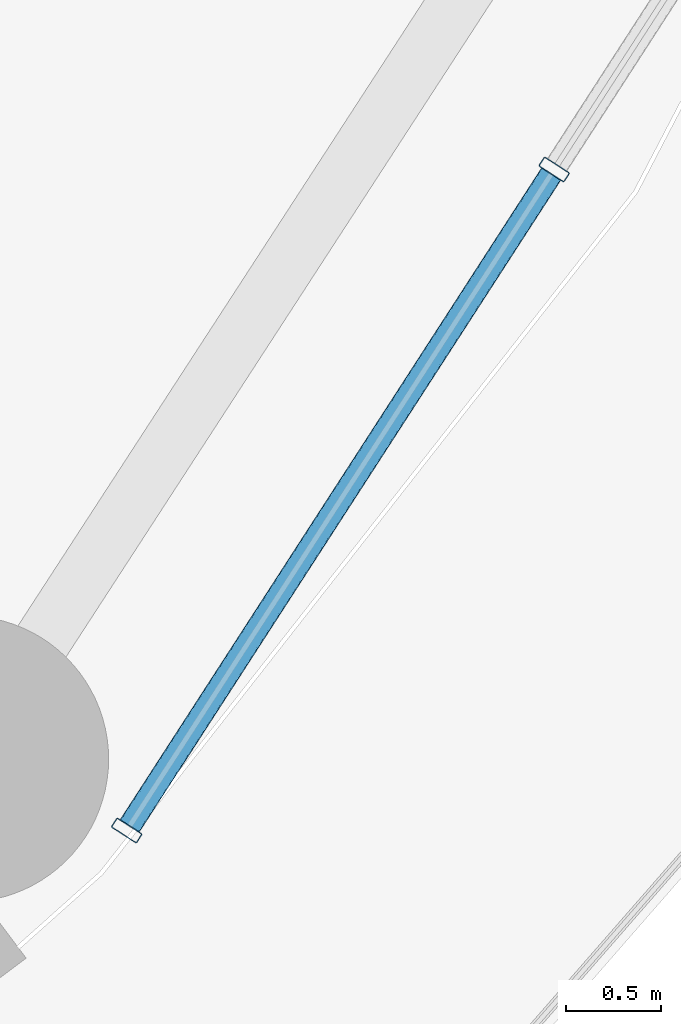
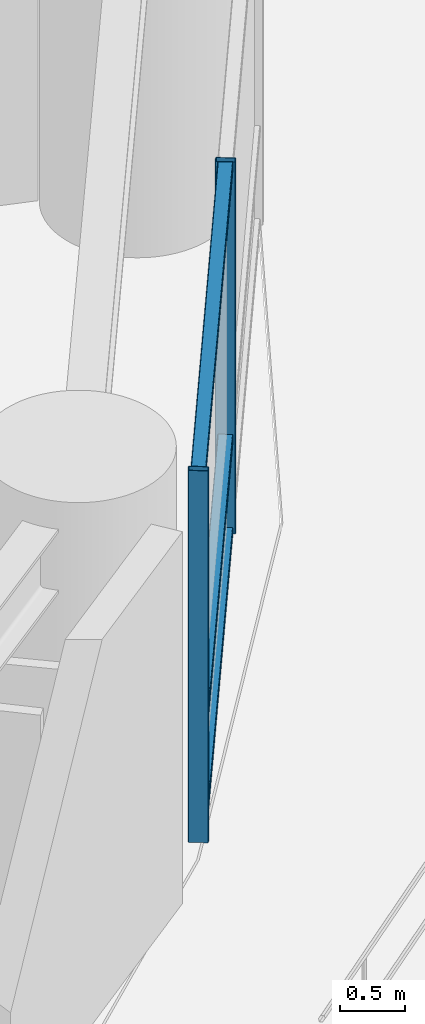
# One storey, part 10 of 32: 5 members, 1 element without a shape of its own.
"""IFC4 building model written with IfcOpenShell, lengths in metres."""

from ifc_helpers import new_model, si_unit, direction, frame, origin, origin_2d, place, context, subcontext, project, spatial, hollow_rectangle, extrude, material, layer, layer_set, material_profile, profile_set, type_object, element, aggregate, save


model = new_model("IFC4")

# Units and contexts
model_context = context("Model", 3, precision=1e-05, world=origin(), true_north=direction((0.0, 1.0)))
body_context = subcontext(model_context, "Body", "Model", "MODEL_VIEW")
ifc_project = project(units=[si_unit("LENGTHUNIT", "METRE"), si_unit("AREAUNIT", "SQUARE_METRE"), si_unit("VOLUMEUNIT", "CUBIC_METRE"), si_unit("PLANEANGLEUNIT", "RADIAN"), si_unit("MASSUNIT", "GRAM", prefix="KILO")], contexts=[model_context])

# Site, building, storey
site_placement = place(None, origin())
site = spatial("IfcSite", under=ifc_project, at=site_placement, CompositionType="ELEMENT")
building_placement = place(site_placement, origin())
building = spatial("IfcBuilding", under=site, at=building_placement, Name="Kelanora Arch Commons", CompositionType="ELEMENT")
storey_placement = place(building_placement, frame((0.0, 0.0, 52.5)))
storey = spatial("IfcBuildingStorey", under=building, at=storey_placement, Name="L13", CompositionType="ELEMENT", Elevation=52.5)

# Curtain wall, members
ifc_material_1 = material(Name="Terracotta ceramic-fritted low-E glass and aluminium", Category="masonry")
ifc_layer = layer(ifc_material_1, 0.159912109375)
ifc_layer_set = layer_set([ifc_layer], Name="Terracotta ceramic-fritted low-E glass and aluminium")
curtain_wall_type = type_object("IfcCurtainWallType", Name="CW-SYS-01", PredefinedType="NOTDEFINED", material=ifc_layer_set)
curtain_wall_placement = place(storey_placement, origin())
curtain_wall = element("IfcCurtainWall", 1, at=curtain_wall_placement, inside=storey, type_object=curtain_wall_type, Name="Unitised Curtain Wall L13-B16", PredefinedType="NOTDEFINED")
ifc_material_2 = material(Name="Powder-coated aluminium terracotta", Category="masonry")
ifc_material_profile_1 = material_profile(ifc_material_2, hollow_rectangle(XDim=0.159912109375, YDim=0.06005859375, WallThickness=0.0048828125, InnerFilletRadius=0.0048828125, OuterFilletRadius=0.010009765625, at=origin_2d()), Name="CWM160x60")
ifc_profile_set_1 = profile_set([ifc_material_profile_1], Name="Powder-coated aluminium terracotta")
member_type_1 = type_object("IfcMemberType", Name="CWM-STD", PredefinedType="MULLION", material=ifc_profile_set_1)
member_1_placement = place(storey_placement, frame((95.58935546875, 42.14697265625, 0.0), z_axis=(0.0, 0.0, 1.0), x_axis=(-0.83972982332, 0.543004441812, 0.0)))
member_1 = element("IfcMember", 2, at=member_1_placement, type_object=member_type_1, Name="CW-01 mullion 1", PredefinedType="MULLION", context=body_context, shape_type="SweptSolid", body=[
    extrude(hollow_rectangle(XDim=0.159912109375, YDim=0.06005859375, WallThickness=0.0048828125, InnerFilletRadius=0.0048828125, OuterFilletRadius=0.010009765625, at=origin_2d()), origin(), (0.0, 0.0, 1.0), 3.47509765625),
])
member_2_placement = place(storey_placement, frame((97.830810546875, 45.61328125, 0.0), z_axis=(0.0, 0.0, 1.0), x_axis=(-0.83972982332, 0.543004441812, 0.0)))
member_2 = element("IfcMember", 3, at=member_2_placement, type_object=member_type_1, Name="CW-01 mullion 2", PredefinedType="MULLION", context=body_context, shape_type="SweptSolid", body=[
    extrude(hollow_rectangle(XDim=0.159912109375, YDim=0.06005859375, WallThickness=0.0048828125, InnerFilletRadius=0.0048828125, OuterFilletRadius=0.010009765625, at=origin_2d()), origin(), (0.0, 0.0, 1.0), 3.47509765625),
])
ifc_material_profile_2 = material_profile(ifc_material_2, hollow_rectangle(XDim=0.1201171875, YDim=0.06005859375, WallThickness=0.0048828125, InnerFilletRadius=0.0048828125, OuterFilletRadius=0.010009765625, at=origin_2d()), Name="CWT120x60")
ifc_profile_set_2 = profile_set([ifc_material_profile_2], Name="Powder-coated aluminium terracotta")
member_type_2 = type_object("IfcMemberType", Name="CWT-STD", PredefinedType="USERDEFINED", material=ifc_profile_set_2)
member_3_placement = place(storey_placement, frame((95.605712890625, 42.17236328125, 0.030029296875), z_axis=(0.542997414293, 0.839734367566, 0.0), x_axis=(-0.839734367566, 0.542997414293, 0.0)))
member_3 = element("IfcMember", 4, at=member_3_placement, type_object=member_type_2, Name="CW-01 transom 1.1", ObjectType="TRANSOM", PredefinedType="USERDEFINED", context=body_context, shape_type="SweptSolid", body=[
    extrude(hollow_rectangle(XDim=0.1201171875, YDim=0.06005859375, WallThickness=0.0048828125, InnerFilletRadius=0.0048828125, OuterFilletRadius=0.010009765625, at=origin_2d()), origin(), (0.0, 0.0, 1.0), 4.067626953125),
])
member_4_placement = place(storey_placement, frame((95.605712890625, 42.17236328125, 0.89990234375), z_axis=(0.542997414293, 0.839734367566, 0.0), x_axis=(-0.839734367566, 0.542997414293, 0.0)))
member_4 = element("IfcMember", 5, at=member_4_placement, type_object=member_type_2, Name="CW-01 transom 1.2", ObjectType="TRANSOM", PredefinedType="USERDEFINED", context=body_context, shape_type="SweptSolid", body=[
    extrude(hollow_rectangle(XDim=0.1201171875, YDim=0.06005859375, WallThickness=0.0048828125, InnerFilletRadius=0.0048828125, OuterFilletRadius=0.010009765625, at=origin_2d()), origin(), (0.0, 0.0, 1.0), 4.067626953125),
])
member_5_placement = place(storey_placement, frame((95.605712890625, 42.17236328125, 3.445068359375), z_axis=(0.542997414293, 0.839734367566, 0.0), x_axis=(-0.839734367566, 0.542997414293, 0.0)))
member_5 = element("IfcMember", 6, at=member_5_placement, type_object=member_type_2, Name="CW-01 transom 1.3", ObjectType="TRANSOM", PredefinedType="USERDEFINED", context=body_context, shape_type="SweptSolid", body=[
    extrude(hollow_rectangle(XDim=0.1201171875, YDim=0.06005859375, WallThickness=0.0048828125, InnerFilletRadius=0.0048828125, OuterFilletRadius=0.010009765625, at=origin_2d()), origin(), (0.0, 0.0, 1.0), 4.067626953125),
])
aggregate(curtain_wall, [member_1, member_2, member_3, member_4, member_5])

save(model, "model.ifc")
